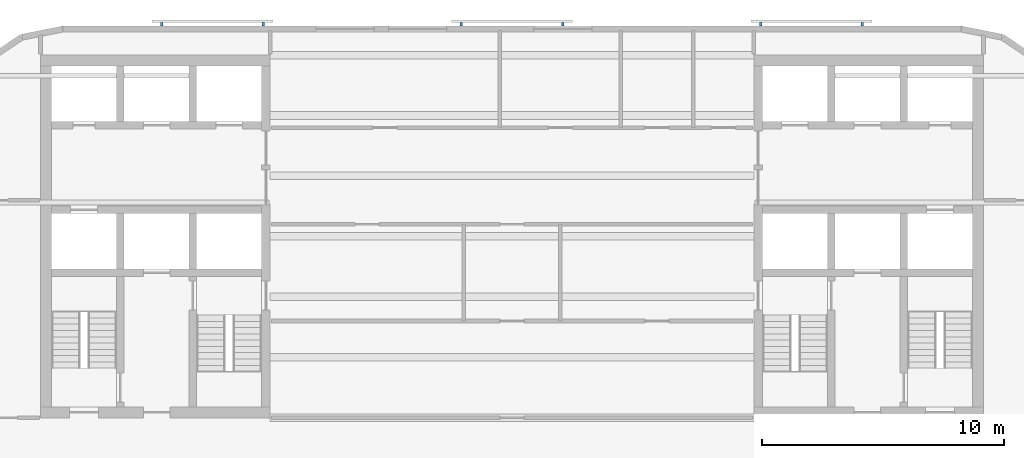
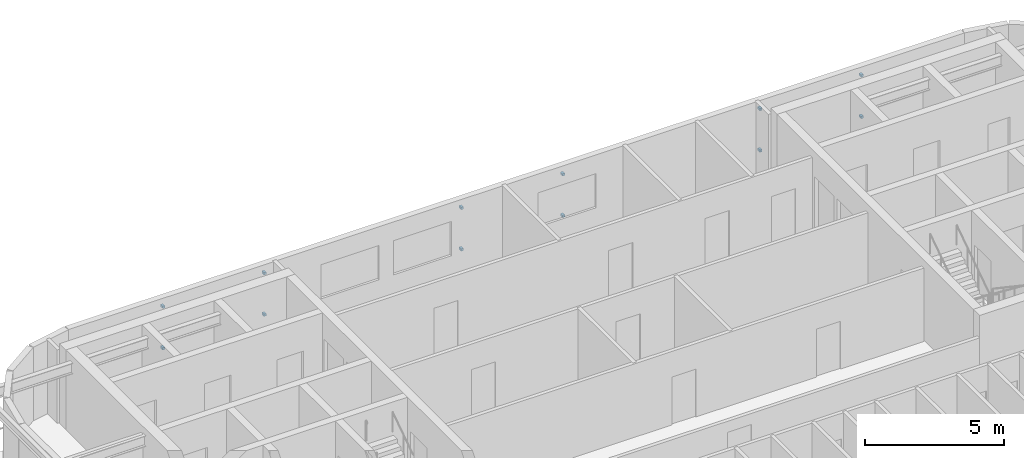
# One storey, part 8 of 11: 12 discrete accessories.
"""IFC4 building model written with IfcOpenShell, lengths in metres."""

from ifc_helpers import new_model, si_unit, direction, frame, origin, origin_2d, place, context, subcontext, project, spatial, rectangle, extrude, material, type_object, element, save


model = new_model("IFC4")

# Units and contexts
model_context = context("Model", 3, precision=1e-05, world=origin(), true_north=direction((0.0, 1.0)))
body_context = subcontext(model_context, "Body", "Model", "MODEL_VIEW")
ifc_project = project(units=[si_unit("LENGTHUNIT", "METRE"), si_unit("AREAUNIT", "SQUARE_METRE"), si_unit("VOLUMEUNIT", "CUBIC_METRE"), si_unit("PLANEANGLEUNIT", "RADIAN"), si_unit("MASSUNIT", "GRAM", prefix="KILO")], contexts=[model_context])

# Site, building, storey
site_placement = place(None, origin())
site = spatial("IfcSite", under=ifc_project, at=site_placement, CompositionType="ELEMENT")
building_placement = place(site_placement, origin())
building = spatial("IfcBuilding", under=site, at=building_placement, Name="Torana Hotel and Residences", CompositionType="ELEMENT")
storey_placement = place(building_placement, frame((0.0, 0.0, 277.10009765625)))
storey = spatial("IfcBuildingStorey", under=building, at=storey_placement, Name="L73", CompositionType="ELEMENT", Elevation=277.10009765625)

# Discrete accessories
ifc_material = material(Name="Steel S355", Category="steel")
discrete_accessory_type = type_object("IfcDiscreteAccessoryType", Name="SCREEN BRACKET 100", PredefinedType="BRACKET", material=ifc_material)
for number, where, z_axis, x_axis, name in (
    (1, (14.483642578125, 1.27490234375, 0.749755859375), (0.0, 0.0, 1.0), (-1.0, 0.0, 0.0), "Screen bracket L73"),
    (2, (14.483642578125, 1.27490234375, 2.56982421875), (0.0, 0.0, 1.0), (-1.0, 0.0, 0.0), "Screen bracket L73"),
    (3, (10.28369140625, 1.27490234375, 0.749755859375), (0.0, 0.0, 1.0), (-1.0, 0.0, 0.0), "Screen bracket L73"),
    (4, (10.28369140625, 1.27490234375, 2.56982421875), (0.0, 0.0, 1.0), (-1.0, 0.0, 0.0), "Screen bracket L73"),
    (5, (2.10009765625, 1.27490234375, 0.749755859375), (0.0, 0.0, 1.0), (-1.0, 0.0, 0.0), "Screen bracket L73"),
    (6, (2.10009765625, 1.27490234375, 2.56982421875), (0.0, 0.0, 1.0), (-1.0, 0.0, 0.0), "Screen bracket L73"),
    (7, (-2.10009765625, 1.27490234375, 0.749755859375), (0.0, 0.0, 1.0), (-1.0, 0.0, 0.0), "Screen bracket L73"),
    (8, (-2.10009765625, 1.27490234375, 2.56982421875), (0.0, 0.0, 1.0), (-1.0, 0.0, 0.0), "Screen bracket L73"),
    (9, (-10.28369140625, 1.27490234375, 0.749755859375), (0.0, 0.0, 1.0), (-1.0, 0.0, 0.0), "Screen bracket L73"),
    (10, (-10.28369140625, 1.27490234375, 2.56982421875), (0.0, 0.0, 1.0), (-1.0, 0.0, 0.0), "Screen bracket L73"),
    (11, (-14.483642578125, 1.27490234375, 0.749755859375), (0.0, 0.0, 1.0), (-1.0, 0.0, 0.0), "Screen bracket L73"),
    (12, (-14.483642578125, 1.27490234375, 2.56982421875), (0.0, 0.0, 1.0), (-1.0, 0.0, 0.0), "Screen bracket L73"),
):
    element("IfcDiscreteAccessory", number, at=place(storey_placement, frame(where, z_axis=z_axis, x_axis=x_axis)), inside=storey, type_object=discrete_accessory_type, Name=name, PredefinedType="BRACKET", context=body_context, shape_type="SweptSolid", body=[
        extrude(rectangle(XDim=0.10009765625, YDim=0.14990234375, at=origin_2d()), origin(), (0.0, 0.0, 1.0), 0.10009765625),
    ])

save(model, "model.ifc")
